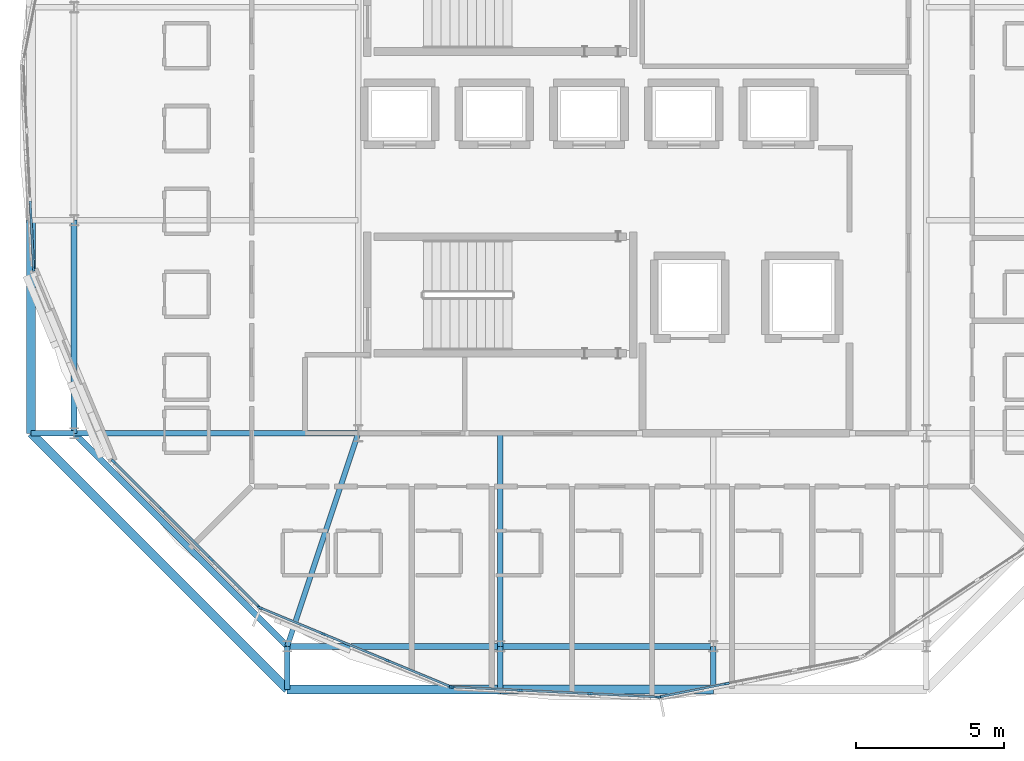
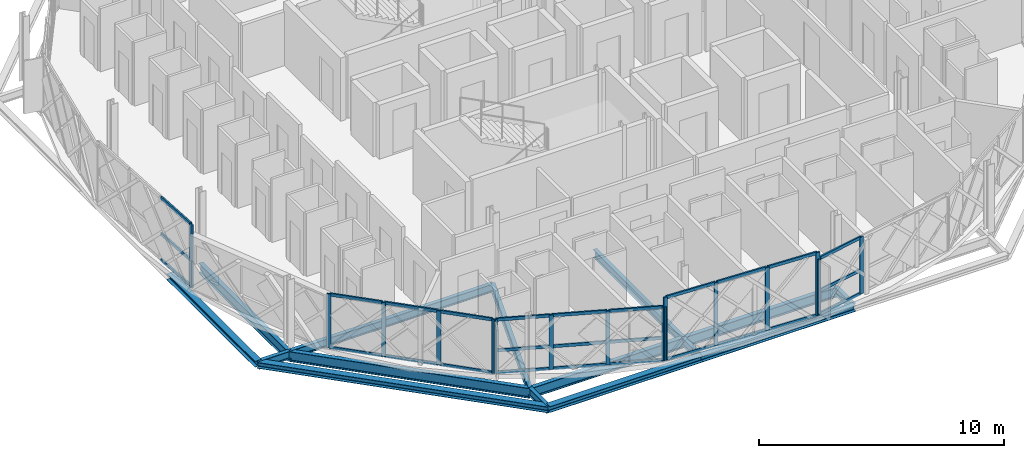
# One storey, part 5 of 24: 42 members, 15 beams, 5 elements without a shape of their own.
"""IFC4 building model written with IfcOpenShell, lengths in metres."""

from ifc_helpers import new_model, si_unit, direction, frame, origin, origin_2d, place, context, subcontext, project, spatial, rectangle, i_section, extrude, material, layer, layer_set, material_profile, profile_set, type_object, element, aggregate, save


model = new_model("IFC4")

# Units and contexts
model_context = context("Model", 3, precision=1e-05, world=origin(), true_north=direction((0.0, 1.0)))
body_context = subcontext(model_context, "Body", "Model", "MODEL_VIEW")
ifc_project = project(units=[si_unit("LENGTHUNIT", "METRE"), si_unit("AREAUNIT", "SQUARE_METRE"), si_unit("VOLUMEUNIT", "CUBIC_METRE"), si_unit("PLANEANGLEUNIT", "RADIAN"), si_unit("MASSUNIT", "GRAM", prefix="KILO")], contexts=[model_context])

# Site, building, storey
site_placement = place(None, origin())
site = spatial("IfcSite", under=ifc_project, at=site_placement, CompositionType="ELEMENT")
building_placement = place(site_placement, origin())
building = spatial("IfcBuilding", under=site, at=building_placement, Name="Zevrakil Square Congress Hotel", CompositionType="ELEMENT")
storey_placement = place(building_placement, frame((0.0, 0.0, 38.5)))
storey = spatial("IfcBuildingStorey", under=building, at=storey_placement, Name="L11", CompositionType="ELEMENT", Elevation=38.5)

# Beams
ifc_material_1 = material(Name="Steel S355", Category="steel")
ifc_material_profile_1 = material_profile(ifc_material_1, i_section(OverallWidth=0.199951171875, OverallDepth=0.5, WebThickness=0.01025390625, FlangeThickness=0.01611328125, FilletRadius=0.02099609375, at=origin_2d()), Name="IPE 500")
ifc_profile_set_1 = profile_set([ifc_material_profile_1], Name="Steel S355")
beam_type_1 = type_object("IfcBeamType", Name="BM-IPE500", PredefinedType="BEAM", material=ifc_profile_set_1)
beam_1_placement = place(storey_placement, frame((134.39990234375, 9.60009765625, -0.485107421875), z_axis=(1.0, 0.0, 0.0), x_axis=(0.0, 1.0, 0.0)))
element("IfcBeam", 1, at=beam_1_placement, inside=storey, type_object=beam_type_1, Name="L11 drum ring girder DRB-01", PredefinedType="BEAM", context=body_context, shape_type="SweptSolid", body=[
    extrude(i_section(OverallWidth=0.199951171875, OverallDepth=0.5, WebThickness=0.01025390625, FlangeThickness=0.01611328125, FilletRadius=0.02099609375, at=origin_2d()), origin(), (0.0, 0.0, 1.0), 7.2001953125),
])
for number, where, z_axis, x_axis, name in (
    (2, (141.60009765625, 9.60009765625, -0.485107421875), (1.0, 0.0, 0.0), (0.0, 1.0, 0.0), "L11 drum ring girder DRB-02"),
    (3, (127.199951171875, 24.0, -0.485107421875), (0.0, -1.0, 0.0), (1.0, 0.0, 0.0), "L11 drum ring girder DRB-15"),
):
    element("IfcBeam", number, at=place(storey_placement, frame(where, z_axis=z_axis, x_axis=x_axis)), inside=storey, type_object=beam_type_1, Name=name, PredefinedType="BEAM", context=body_context, shape_type="SweptSolid", body=[
        extrude(i_section(OverallWidth=0.199951171875, OverallDepth=0.5, WebThickness=0.01025390625, FlangeThickness=0.01611328125, FilletRadius=0.02099609375, at=origin_2d()), origin(), (0.0, 0.0, 1.0), 7.199951171875),
    ])
beam_2_placement = place(storey_placement, frame((127.199951171875, 16.800048828125, -0.485107421875), z_axis=(0.707106781187, -0.707106781187, 0.0), x_axis=(0.707106781187, 0.707106781187, 0.0)))
element("IfcBeam", 4, at=beam_2_placement, inside=storey, type_object=beam_type_1, Name="L11 drum ring girder DRB-16", PredefinedType="BEAM", context=body_context, shape_type="SweptSolid", body=[
    extrude(i_section(OverallWidth=0.199951171875, OverallDepth=0.5, WebThickness=0.01025390625, FlangeThickness=0.01611328125, FilletRadius=0.02099609375, at=origin_2d()), origin(), (0.0, 0.0, 1.0), 10.182373046875),
])

# Curtain wall, members
ifc_material_2 = material(Name="Aluminium Anodised Bronze", Category="aluminium")
ifc_layer = layer(ifc_material_2, 0.179931640625)
ifc_layer_set = layer_set([ifc_layer], Name="Aluminium Anodised Bronze")
curtain_wall_type = type_object("IfcCurtainWallType", Name="CW-L11-720", PredefinedType="USERDEFINED", material=ifc_layer_set)
curtain_wall_1_placement = place(storey_placement, origin())
curtain_wall_1 = element("IfcCurtainWall", 5, at=curtain_wall_1_placement, inside=storey, type_object=curtain_wall_type, Name="L11 diamond curtain wall CW-L11-0286", ObjectType="GLAZED CURTAIN WALL", PredefinedType="USERDEFINED")
ifc_material_3 = material(Name="Aluminium Anodised Bronze", Category="aluminium")
ifc_material_profile_2 = material_profile(ifc_material_3, rectangle(XDim=0.074951171875, YDim=0.14990234375, at=origin_2d()), Name="ALU 75x150")
ifc_profile_set_2 = profile_set([ifc_material_profile_2], Name="Aluminium Anodised Bronze")
member_type_1 = type_object("IfcMemberType", Name="CWM-ALU75x150", PredefinedType="USERDEFINED", material=ifc_profile_set_2)
member_1_placement = place(storey_placement, frame((147.019775390625, 7.895751953125, 0.030029296875), z_axis=(0.98078922397, 0.195070495322, 0.0), x_axis=(-0.195070495322, 0.98078922397, 0.0)))
member_1 = element("IfcMember", 6, at=member_1_placement, type_object=member_type_1, Name="CW-130 transom 1.1", ObjectType="TRANSOM", PredefinedType="USERDEFINED", context=body_context, shape_type="SweptSolid", body=[
    extrude(rectangle(XDim=0.074951171875, YDim=0.14990234375, at=origin_2d()), origin(), (0.0, 0.0, 1.0), 2.245361328125),
])
member_2_placement = place(storey_placement, frame((147.019775390625, 7.895751953125, 1.190673828125), z_axis=(0.98078922397, 0.195070495322, 0.0), x_axis=(-0.195070495322, 0.98078922397, 0.0)))
member_2 = element("IfcMember", 7, at=member_2_placement, type_object=member_type_1, Name="CW-130 transom 1.2", ObjectType="TRANSOM", PredefinedType="USERDEFINED", context=body_context, shape_type="SweptSolid", body=[
    extrude(rectangle(XDim=0.074951171875, YDim=0.14990234375, at=origin_2d()), origin(), (0.0, 0.0, 1.0), 2.245361328125),
])
member_3_placement = place(storey_placement, frame((147.019775390625, 7.895751953125, 2.804931640625), z_axis=(0.98078922397, 0.195070495322, 0.0), x_axis=(-0.195070495322, 0.98078922397, 0.0)))
member_3 = element("IfcMember", 8, at=member_3_placement, type_object=member_type_1, Name="CW-130 transom 1.3", ObjectType="TRANSOM", PredefinedType="USERDEFINED", context=body_context, shape_type="SweptSolid", body=[
    extrude(rectangle(XDim=0.074951171875, YDim=0.14990234375, at=origin_2d()), origin(), (0.0, 0.0, 1.0), 2.245361328125),
])

curtain_wall_2_placement = place(storey_placement, origin())
curtain_wall_2 = element("IfcCurtainWall", 9, at=curtain_wall_2_placement, inside=storey, type_object=curtain_wall_type, Name="L11 diamond curtain wall CW-L11-0298", ObjectType="GLAZED CURTAIN WALL", PredefinedType="USERDEFINED")
member_4_placement = place(storey_placement, frame((125.715576171875, 24.64794921875, 0.030029296875), z_axis=(0.04905720207, -0.998795970619, 0.0), x_axis=(0.998795970619, 0.04905720207, 0.0)))
member_4 = element("IfcMember", 10, at=member_4_placement, type_object=member_type_1, Name="CW-130 transom 3.1", ObjectType="TRANSOM", PredefinedType="USERDEFINED", context=body_context, shape_type="SweptSolid", body=[
    extrude(rectangle(XDim=0.074951171875, YDim=0.14990234375, at=origin_2d()), origin(), (0.0, 0.0, 1.0), 2.25439453125),
])
member_5_placement = place(storey_placement, frame((125.715576171875, 24.64794921875, 1.322998046875), z_axis=(0.04905720207, -0.998795970619, 0.0), x_axis=(0.998795970619, 0.04905720207, 0.0)))
member_5 = element("IfcMember", 11, at=member_5_placement, type_object=member_type_1, Name="CW-130 transom 3.2", ObjectType="TRANSOM", PredefinedType="USERDEFINED", context=body_context, shape_type="SweptSolid", body=[
    extrude(rectangle(XDim=0.074951171875, YDim=0.14990234375, at=origin_2d()), origin(), (0.0, 0.0, 1.0), 2.25439453125),
])
member_6_placement = place(storey_placement, frame((125.715576171875, 24.64794921875, 3.1201171875), z_axis=(0.04905720207, -0.998795970619, 0.0), x_axis=(0.998795970619, 0.04905720207, 0.0)))
member_6 = element("IfcMember", 12, at=member_6_placement, type_object=member_type_1, Name="CW-130 transom 3.3", ObjectType="TRANSOM", PredefinedType="USERDEFINED", context=body_context, shape_type="SweptSolid", body=[
    extrude(rectangle(XDim=0.074951171875, YDim=0.14990234375, at=origin_2d()), origin(), (0.0, 0.0, 1.0), 2.25439453125),
])

curtain_wall_3_placement = place(storey_placement, origin())
curtain_wall_3 = element("IfcCurtainWall", 13, at=curtain_wall_3_placement, inside=storey, type_object=curtain_wall_type, Name="L11 diamond curtain wall CW-L11-0299", ObjectType="GLAZED CURTAIN WALL", PredefinedType="USERDEFINED")
member_7_placement = place(storey_placement, frame((128.552490234375, 15.8212890625, 0.030029296875), z_axis=(0.707106781187, -0.707106781187, 0.0), x_axis=(0.707106781187, 0.707106781187, 0.0)))
member_7 = element("IfcMember", 14, at=member_7_placement, type_object=member_type_1, Name="CW-130 transom 1.1", ObjectType="TRANSOM", PredefinedType="USERDEFINED", context=body_context, shape_type="SweptSolid", body=[
    extrude(rectangle(XDim=0.074951171875, YDim=0.14990234375, at=origin_2d()), origin(), (0.0, 0.0, 1.0), 2.245361328125),
])
member_8_placement = place(storey_placement, frame((128.552490234375, 15.8212890625, 2.6650390625), z_axis=(0.707106781187, -0.707106781187, 0.0), x_axis=(0.707106781187, 0.707106781187, 0.0)))
member_8 = element("IfcMember", 15, at=member_8_placement, type_object=member_type_1, Name="CW-130 transom 1.2", ObjectType="TRANSOM", PredefinedType="USERDEFINED", context=body_context, shape_type="SweptSolid", body=[
    extrude(rectangle(XDim=0.074951171875, YDim=0.14990234375, at=origin_2d()), origin(), (0.0, 0.0, 1.0), 2.245361328125),
])
member_9_placement = place(storey_placement, frame((130.182373046875, 14.191162109375, 0.030029296875), z_axis=(0.707160433205, -0.707053125097, 0.0), x_axis=(0.707053125097, 0.707160433205, 0.0)))
member_9 = element("IfcMember", 16, at=member_9_placement, type_object=member_type_1, Name="CW-130 transom 2.1", ObjectType="TRANSOM", PredefinedType="USERDEFINED", context=body_context, shape_type="SweptSolid", body=[
    extrude(rectangle(XDim=0.074951171875, YDim=0.14990234375, at=origin_2d()), origin(), (0.0, 0.0, 1.0), 2.275146484375),
])
member_10_placement = place(storey_placement, frame((130.182373046875, 14.191162109375, 2.6650390625), z_axis=(0.707160433205, -0.707053125097, 0.0), x_axis=(0.707053125097, 0.707160433205, 0.0)))
member_10 = element("IfcMember", 17, at=member_10_placement, type_object=member_type_1, Name="CW-130 transom 2.2", ObjectType="TRANSOM", PredefinedType="USERDEFINED", context=body_context, shape_type="SweptSolid", body=[
    extrude(rectangle(XDim=0.074951171875, YDim=0.14990234375, at=origin_2d()), origin(), (0.0, 0.0, 1.0), 2.275146484375),
])
member_11_placement = place(storey_placement, frame((131.833740234375, 12.5400390625, 0.030029296875), z_axis=(0.707106781187, -0.707106781187, 0.0), x_axis=(0.707106781187, 0.707106781187, 0.0)))
member_11 = element("IfcMember", 18, at=member_11_placement, type_object=member_type_1, Name="CW-130 transom 3.1", ObjectType="TRANSOM", PredefinedType="USERDEFINED", context=body_context, shape_type="SweptSolid", body=[
    extrude(rectangle(XDim=0.074951171875, YDim=0.14990234375, at=origin_2d()), origin(), (0.0, 0.0, 1.0), 2.245361328125),
])
member_12_placement = place(storey_placement, frame((131.833740234375, 12.5400390625, 2.6650390625), z_axis=(0.707106781187, -0.707106781187, 0.0), x_axis=(0.707106781187, 0.707106781187, 0.0)))
member_12 = element("IfcMember", 19, at=member_12_placement, type_object=member_type_1, Name="CW-130 transom 3.2", ObjectType="TRANSOM", PredefinedType="USERDEFINED", context=body_context, shape_type="SweptSolid", body=[
    extrude(rectangle(XDim=0.074951171875, YDim=0.14990234375, at=origin_2d()), origin(), (0.0, 0.0, 1.0), 2.245361328125),
])

curtain_wall_4_placement = place(storey_placement, origin())
curtain_wall_4 = element("IfcCurtainWall", 20, at=curtain_wall_4_placement, inside=storey, type_object=curtain_wall_type, Name="L11 diamond curtain wall CW-L11-0300", ObjectType="GLAZED CURTAIN WALL", PredefinedType="USERDEFINED")
member_13_placement = place(storey_placement, frame((133.51904296875, 10.886962890625, 0.030029296875), z_axis=(0.923901544851, -0.382630285552, 0.0), x_axis=(0.382630285552, 0.923901544851, 0.0)))
member_13 = element("IfcMember", 21, at=member_13_placement, type_object=member_type_1, Name="CW-130 transom 1.1", ObjectType="TRANSOM", PredefinedType="USERDEFINED", context=body_context, shape_type="SweptSolid", body=[
    extrude(rectangle(XDim=0.074951171875, YDim=0.14990234375, at=origin_2d()), origin(), (0.0, 0.0, 1.0), 2.245361328125),
])
member_14_placement = place(storey_placement, frame((133.51904296875, 10.886962890625, 1.1318359375), z_axis=(0.923901544851, -0.382630285552, 0.0), x_axis=(0.382630285552, 0.923901544851, 0.0)))
member_14 = element("IfcMember", 22, at=member_14_placement, type_object=member_type_1, Name="CW-130 transom 1.2", ObjectType="TRANSOM", PredefinedType="USERDEFINED", context=body_context, shape_type="SweptSolid", body=[
    extrude(rectangle(XDim=0.074951171875, YDim=0.14990234375, at=origin_2d()), origin(), (0.0, 0.0, 1.0), 2.245361328125),
])
member_15_placement = place(storey_placement, frame((133.51904296875, 10.886962890625, 2.6650390625), z_axis=(0.923901544851, -0.382630285552, 0.0), x_axis=(0.382630285552, 0.923901544851, 0.0)))
member_15 = element("IfcMember", 23, at=member_15_placement, type_object=member_type_1, Name="CW-130 transom 1.3", ObjectType="TRANSOM", PredefinedType="USERDEFINED", context=body_context, shape_type="SweptSolid", body=[
    extrude(rectangle(XDim=0.074951171875, YDim=0.14990234375, at=origin_2d()), origin(), (0.0, 0.0, 1.0), 2.245361328125),
])
member_16_placement = place(storey_placement, frame((135.64892578125, 10.0048828125, 0.030029296875), z_axis=(0.923855963606, -0.38274032778, 0.0), x_axis=(0.38274032778, 0.923855963606, 0.0)))
member_16 = element("IfcMember", 24, at=member_16_placement, type_object=member_type_1, Name="CW-130 transom 2.1", ObjectType="TRANSOM", PredefinedType="USERDEFINED", context=body_context, shape_type="SweptSolid", body=[
    extrude(rectangle(XDim=0.074951171875, YDim=0.14990234375, at=origin_2d()), origin(), (0.0, 0.0, 1.0), 2.275390625),
])
member_17_placement = place(storey_placement, frame((135.64892578125, 10.0048828125, 1.1318359375), z_axis=(0.923855963606, -0.38274032778, 0.0), x_axis=(0.38274032778, 0.923855963606, 0.0)))
member_17 = element("IfcMember", 25, at=member_17_placement, type_object=member_type_1, Name="CW-130 transom 2.2", ObjectType="TRANSOM", PredefinedType="USERDEFINED", context=body_context, shape_type="SweptSolid", body=[
    extrude(rectangle(XDim=0.074951171875, YDim=0.14990234375, at=origin_2d()), origin(), (0.0, 0.0, 1.0), 2.275390625),
])
member_18_placement = place(storey_placement, frame((135.64892578125, 10.0048828125, 2.6650390625), z_axis=(0.923855963606, -0.38274032778, 0.0), x_axis=(0.38274032778, 0.923855963606, 0.0)))
member_18 = element("IfcMember", 26, at=member_18_placement, type_object=member_type_1, Name="CW-130 transom 2.3", ObjectType="TRANSOM", PredefinedType="USERDEFINED", context=body_context, shape_type="SweptSolid", body=[
    extrude(rectangle(XDim=0.074951171875, YDim=0.14990234375, at=origin_2d()), origin(), (0.0, 0.0, 1.0), 2.275390625),
])
member_19_placement = place(storey_placement, frame((137.806396484375, 9.111083984375, 0.030029296875), z_axis=(0.923901544851, -0.382630285552, 0.0), x_axis=(0.382630285552, 0.923901544851, 0.0)))
member_19 = element("IfcMember", 27, at=member_19_placement, type_object=member_type_1, Name="CW-130 transom 3.1", ObjectType="TRANSOM", PredefinedType="USERDEFINED", context=body_context, shape_type="SweptSolid", body=[
    extrude(rectangle(XDim=0.074951171875, YDim=0.14990234375, at=origin_2d()), origin(), (0.0, 0.0, 1.0), 2.245361328125),
])
member_20_placement = place(storey_placement, frame((137.806396484375, 9.111083984375, 1.1318359375), z_axis=(0.923901544851, -0.382630285552, 0.0), x_axis=(0.382630285552, 0.923901544851, 0.0)))
member_20 = element("IfcMember", 28, at=member_20_placement, type_object=member_type_1, Name="CW-130 transom 3.2", ObjectType="TRANSOM", PredefinedType="USERDEFINED", context=body_context, shape_type="SweptSolid", body=[
    extrude(rectangle(XDim=0.074951171875, YDim=0.14990234375, at=origin_2d()), origin(), (0.0, 0.0, 1.0), 2.245361328125),
])
member_21_placement = place(storey_placement, frame((137.806396484375, 9.111083984375, 2.6650390625), z_axis=(0.923901544851, -0.382630285552, 0.0), x_axis=(0.382630285552, 0.923901544851, 0.0)))
member_21 = element("IfcMember", 29, at=member_21_placement, type_object=member_type_1, Name="CW-130 transom 3.3", ObjectType="TRANSOM", PredefinedType="USERDEFINED", context=body_context, shape_type="SweptSolid", body=[
    extrude(rectangle(XDim=0.074951171875, YDim=0.14990234375, at=origin_2d()), origin(), (0.0, 0.0, 1.0), 2.245361328125),
])

curtain_wall_5_placement = place(storey_placement, origin())
curtain_wall_5 = element("IfcCurtainWall", 30, at=curtain_wall_5_placement, inside=storey, type_object=curtain_wall_type, Name="L11 diamond curtain wall CW-L11-0301", ObjectType="GLAZED CURTAIN WALL", PredefinedType="USERDEFINED")
member_22_placement = place(storey_placement, frame((139.99609375, 8.22607421875, 0.030029296875), z_axis=(0.998795970619, -0.04905720207, 0.0), x_axis=(0.04905720207, 0.998795970619, 0.0)))
member_22 = element("IfcMember", 31, at=member_22_placement, type_object=member_type_1, Name="CW-130 transom 1.1", ObjectType="TRANSOM", PredefinedType="USERDEFINED", context=body_context, shape_type="SweptSolid", body=[
    extrude(rectangle(XDim=0.074951171875, YDim=0.14990234375, at=origin_2d()), origin(), (0.0, 0.0, 1.0), 2.25439453125),
])
member_23_placement = place(storey_placement, frame((139.99609375, 8.22607421875, 3.1201171875), z_axis=(0.998795970619, -0.04905720207, 0.0), x_axis=(0.04905720207, 0.998795970619, 0.0)))
member_23 = element("IfcMember", 32, at=member_23_placement, type_object=member_type_1, Name="CW-130 transom 1.2", ObjectType="TRANSOM", PredefinedType="USERDEFINED", context=body_context, shape_type="SweptSolid", body=[
    extrude(rectangle(XDim=0.074951171875, YDim=0.14990234375, at=origin_2d()), origin(), (0.0, 0.0, 1.0), 2.25439453125),
])
member_24_placement = place(storey_placement, frame((142.307861328125, 8.112548828125, 0.030029296875), z_axis=(0.998795929736, -0.04905803443, 0.0), x_axis=(0.04905803443, 0.998795929736, 0.0)))
member_24 = element("IfcMember", 33, at=member_24_placement, type_object=member_type_1, Name="CW-130 transom 2.1", ObjectType="TRANSOM", PredefinedType="USERDEFINED", context=body_context, shape_type="SweptSolid", body=[
    extrude(rectangle(XDim=0.074951171875, YDim=0.14990234375, at=origin_2d()), origin(), (0.0, 0.0, 1.0), 2.2841796875),
])
member_25_placement = place(storey_placement, frame((142.307861328125, 8.112548828125, 3.1201171875), z_axis=(0.998795929736, -0.04905803443, 0.0), x_axis=(0.04905803443, 0.998795929736, 0.0)))
member_25 = element("IfcMember", 34, at=member_25_placement, type_object=member_type_1, Name="CW-130 transom 2.2", ObjectType="TRANSOM", PredefinedType="USERDEFINED", context=body_context, shape_type="SweptSolid", body=[
    extrude(rectangle(XDim=0.074951171875, YDim=0.14990234375, at=origin_2d()), origin(), (0.0, 0.0, 1.0), 2.2841796875),
])
member_26_placement = place(storey_placement, frame((144.6494140625, 7.99755859375, 0.030029296875), z_axis=(0.998795970619, -0.04905720207, 0.0), x_axis=(0.04905720207, 0.998795970619, 0.0)))
member_26 = element("IfcMember", 35, at=member_26_placement, type_object=member_type_1, Name="CW-130 transom 3.1", ObjectType="TRANSOM", PredefinedType="USERDEFINED", context=body_context, shape_type="SweptSolid", body=[
    extrude(rectangle(XDim=0.074951171875, YDim=0.14990234375, at=origin_2d()), origin(), (0.0, 0.0, 1.0), 2.25439453125),
])
member_27_placement = place(storey_placement, frame((144.6494140625, 7.99755859375, 3.1201171875), z_axis=(0.998795970619, -0.04905720207, 0.0), x_axis=(0.04905720207, 0.998795970619, 0.0)))
member_27 = element("IfcMember", 36, at=member_27_placement, type_object=member_type_1, Name="CW-130 transom 3.2", ObjectType="TRANSOM", PredefinedType="USERDEFINED", context=body_context, shape_type="SweptSolid", body=[
    extrude(rectangle(XDim=0.074951171875, YDim=0.14990234375, at=origin_2d()), origin(), (0.0, 0.0, 1.0), 2.25439453125),
])

# Member
ifc_material_4 = material(Name="Aluminium Anodised Bronze", Category="aluminium")
ifc_material_profile_3 = material_profile(ifc_material_4, rectangle(XDim=0.074951171875, YDim=0.179931640625, at=origin_2d()), Name="ALU 75x180")
ifc_profile_set_3 = profile_set([ifc_material_profile_3], Name="Aluminium Anodised Bronze")
member_type_2 = type_object("IfcMemberType", Name="CWM-ALU75x180", PredefinedType="MULLION", material=ifc_profile_set_3)
member_28_placement = place(storey_placement, frame((146.990478515625, 7.889892578125, 0.0), z_axis=(0.0, 0.0, 1.0), x_axis=(-0.195083900459, 0.980786557708, 0.0)))
member_28 = element("IfcMember", 37, at=member_28_placement, type_object=member_type_2, Name="CW-130 mullion 1", PredefinedType="MULLION", context=body_context, shape_type="SweptSolid", body=[
    extrude(rectangle(XDim=0.074951171875, YDim=0.179931640625, at=origin_2d()), origin(), (0.0, 0.0, 1.0), 2.8349609375),
])

member_29_placement = place(storey_placement, frame((149.25146484375, 8.339599609375, 0.0), z_axis=(0.0, 0.0, 1.0), x_axis=(-0.195083900459, 0.980786557708, 0.0)))
member_29 = element("IfcMember", 38, at=member_29_placement, type_object=member_type_2, Name="CW-130 mullion 2", PredefinedType="MULLION", context=body_context, shape_type="SweptSolid", body=[
    extrude(rectangle(XDim=0.074951171875, YDim=0.179931640625, at=origin_2d()), origin(), (0.0, 0.0, 1.0), 2.8349609375),
])

aggregate(curtain_wall_1, [member_28, member_29, member_1, member_2, member_3])

member_30_placement = place(storey_placement, frame((125.82763671875, 22.3662109375, 0.0), z_axis=(0.0, 0.0, 1.0), x_axis=(0.998796196761, 0.04905259764, 0.0)))
member_30 = element("IfcMember", 39, at=member_30_placement, type_object=member_type_2, Name="CW-130 mullion 4", PredefinedType="MULLION", context=body_context, shape_type="SweptSolid", body=[
    extrude(rectangle(XDim=0.074951171875, YDim=0.179931640625, at=origin_2d()), origin(), (0.0, 0.0, 1.0), 3.14990234375),
])

aggregate(curtain_wall_2, [member_30, member_4, member_5, member_6])

member_31_placement = place(storey_placement, frame((128.53125, 15.842529296875, 0.0), z_axis=(0.0, 0.0, 1.0), x_axis=(0.707106781187, 0.707106781187, 0.0)))
member_31 = element("IfcMember", 40, at=member_31_placement, type_object=member_type_2, Name="CW-130 mullion 1", PredefinedType="MULLION", context=body_context, shape_type="SweptSolid", body=[
    extrude(rectangle(XDim=0.074951171875, YDim=0.179931640625, at=origin_2d()), origin(), (0.0, 0.0, 1.0), 2.695068359375),
])

member_32_placement = place(storey_placement, frame((130.1611328125, 14.21240234375, 0.0), z_axis=(0.0, 0.0, 1.0), x_axis=(0.707106781187, 0.707106781187, 0.0)))
member_32 = element("IfcMember", 41, at=member_32_placement, type_object=member_type_2, Name="CW-130 mullion 2", PredefinedType="MULLION", context=body_context, shape_type="SweptSolid", body=[
    extrude(rectangle(XDim=0.074951171875, YDim=0.179931640625, at=origin_2d()), origin(), (0.0, 0.0, 1.0), 2.695068359375),
])

member_33_placement = place(storey_placement, frame((131.8125, 12.561279296875, 0.0), z_axis=(0.0, 0.0, 1.0), x_axis=(0.707106781187, 0.707106781187, 0.0)))
member_33 = element("IfcMember", 42, at=member_33_placement, type_object=member_type_2, Name="CW-130 mullion 3", PredefinedType="MULLION", context=body_context, shape_type="SweptSolid", body=[
    extrude(rectangle(XDim=0.074951171875, YDim=0.179931640625, at=origin_2d()), origin(), (0.0, 0.0, 1.0), 2.695068359375),
])

member_34_placement = place(storey_placement, frame((133.4423828125, 10.93115234375, 0.0), z_axis=(0.0, 0.0, 1.0), x_axis=(0.707106781187, 0.707106781187, 0.0)))
member_34 = element("IfcMember", 43, at=member_34_placement, type_object=member_type_2, Name="CW-130 mullion 4", PredefinedType="MULLION", context=body_context, shape_type="SweptSolid", body=[
    extrude(rectangle(XDim=0.074951171875, YDim=0.179931640625, at=origin_2d()), origin(), (0.0, 0.0, 1.0), 2.695068359375),
])

aggregate(curtain_wall_3, [member_31, member_32, member_33, member_34, member_7, member_8, member_9, member_10, member_11, member_12])

member_35_placement = place(storey_placement, frame((133.491455078125, 10.8984375, 0.0), z_axis=(0.0, 0.0, 1.0), x_axis=(0.382683763454, 0.92387939537, 0.0)))
member_35 = element("IfcMember", 44, at=member_35_placement, type_object=member_type_2, Name="CW-130 mullion 1", PredefinedType="MULLION", context=body_context, shape_type="SweptSolid", body=[
    extrude(rectangle(XDim=0.074951171875, YDim=0.179931640625, at=origin_2d()), origin(), (0.0, 0.0, 1.0), 2.695068359375),
])

member_36_placement = place(storey_placement, frame((135.62109375, 10.016357421875, 0.0), z_axis=(0.0, 0.0, 1.0), x_axis=(0.382683763454, 0.92387939537, 0.0)))
member_36 = element("IfcMember", 45, at=member_36_placement, type_object=member_type_2, Name="CW-130 mullion 2", PredefinedType="MULLION", context=body_context, shape_type="SweptSolid", body=[
    extrude(rectangle(XDim=0.074951171875, YDim=0.179931640625, at=origin_2d()), origin(), (0.0, 0.0, 1.0), 2.695068359375),
])

member_37_placement = place(storey_placement, frame((137.77880859375, 9.12255859375, 0.0), z_axis=(0.0, 0.0, 1.0), x_axis=(0.382683763454, 0.92387939537, 0.0)))
member_37 = element("IfcMember", 46, at=member_37_placement, type_object=member_type_2, Name="CW-130 mullion 3", PredefinedType="MULLION", context=body_context, shape_type="SweptSolid", body=[
    extrude(rectangle(XDim=0.074951171875, YDim=0.179931640625, at=origin_2d()), origin(), (0.0, 0.0, 1.0), 2.695068359375),
])

member_38_placement = place(storey_placement, frame((139.908447265625, 8.240478515625, 0.0), z_axis=(0.0, 0.0, 1.0), x_axis=(0.382683763454, 0.92387939537, 0.0)))
member_38 = element("IfcMember", 47, at=member_38_placement, type_object=member_type_2, Name="CW-130 mullion 4", PredefinedType="MULLION", context=body_context, shape_type="SweptSolid", body=[
    extrude(rectangle(XDim=0.074951171875, YDim=0.179931640625, at=origin_2d()), origin(), (0.0, 0.0, 1.0), 2.695068359375),
])

aggregate(curtain_wall_4, [member_35, member_36, member_37, member_38, member_13, member_14, member_15, member_16, member_17, member_18, member_19, member_20, member_21])

member_39_placement = place(storey_placement, frame((139.966064453125, 8.2275390625, 0.0), z_axis=(0.0, 0.0, 1.0), x_axis=(0.04905259764, 0.998796196761, 0.0)))
member_39 = element("IfcMember", 48, at=member_39_placement, type_object=member_type_2, Name="CW-130 mullion 1", PredefinedType="MULLION", context=body_context, shape_type="SweptSolid", body=[
    extrude(rectangle(XDim=0.074951171875, YDim=0.179931640625, at=origin_2d()), origin(), (0.0, 0.0, 1.0), 3.14990234375),
])

member_40_placement = place(storey_placement, frame((142.27783203125, 8.114013671875, 0.0), z_axis=(0.0, 0.0, 1.0), x_axis=(0.04905259764, 0.998796196761, 0.0)))
member_40 = element("IfcMember", 49, at=member_40_placement, type_object=member_type_2, Name="CW-130 mullion 2", PredefinedType="MULLION", context=body_context, shape_type="SweptSolid", body=[
    extrude(rectangle(XDim=0.074951171875, YDim=0.179931640625, at=origin_2d()), origin(), (0.0, 0.0, 1.0), 3.14990234375),
])

member_41_placement = place(storey_placement, frame((144.619384765625, 7.9990234375, 0.0), z_axis=(0.0, 0.0, 1.0), x_axis=(0.04905259764, 0.998796196761, 0.0)))
member_41 = element("IfcMember", 50, at=member_41_placement, type_object=member_type_2, Name="CW-130 mullion 3", PredefinedType="MULLION", context=body_context, shape_type="SweptSolid", body=[
    extrude(rectangle(XDim=0.074951171875, YDim=0.179931640625, at=origin_2d()), origin(), (0.0, 0.0, 1.0), 3.14990234375),
])

member_42_placement = place(storey_placement, frame((146.93115234375, 7.885498046875, 0.0), z_axis=(0.0, 0.0, 1.0), x_axis=(0.04905259764, 0.998796196761, 0.0)))
member_42 = element("IfcMember", 51, at=member_42_placement, type_object=member_type_2, Name="CW-130 mullion 4", PredefinedType="MULLION", context=body_context, shape_type="SweptSolid", body=[
    extrude(rectangle(XDim=0.074951171875, YDim=0.179931640625, at=origin_2d()), origin(), (0.0, 0.0, 1.0), 3.14990234375),
])

aggregate(curtain_wall_5, [member_39, member_40, member_41, member_42, member_22, member_23, member_24, member_25, member_26, member_27])

# Beams
ifc_material_5 = material(Name="Steel S355", Category="steel")
ifc_material_profile_4 = material_profile(ifc_material_5, i_section(OverallWidth=0.179931640625, OverallDepth=0.39990234375, WebThickness=0.008544921875, FlangeThickness=0.013427734375, FilletRadius=0.02099609375, at=origin_2d()), Name="IPE 400")
ifc_profile_set_4 = profile_set([ifc_material_profile_4], Name="Steel S355")
beam_type_2 = type_object("IfcBeamType", Name="JST-IPE400", PredefinedType="JOIST", material=ifc_profile_set_4)
beam_3_placement = place(storey_placement, frame((136.800048828125, 16.800048828125, -0.43505859375), z_axis=(-0.316247066962, -0.948676864184, 0.0), x_axis=(0.948676864184, -0.316247066962, 0.0)))
element("IfcBeam", 52, at=beam_3_placement, inside=storey, type_object=beam_type_2, Name="L11 drum radial floor beam DRI-01", PredefinedType="JOIST", context=body_context, shape_type="SweptSolid", body=[
    extrude(i_section(OverallWidth=0.179931640625, OverallDepth=0.39990234375, WebThickness=0.008544921875, FlangeThickness=0.013427734375, FilletRadius=0.02099609375, at=origin_2d()), origin(), (0.0, 0.0, 1.0), 7.58935546875),
])
beam_4_placement = place(storey_placement, frame((134.39990234375, 9.60009765625, -0.43505859375), z_axis=(0.0, -1.0, 0.0), x_axis=(1.0, 0.0, 0.0)))
element("IfcBeam", 53, at=beam_4_placement, inside=storey, type_object=beam_type_2, Name="L11 drum radial edge cantilever beam DRO-01", PredefinedType="JOIST", context=body_context, shape_type="SweptSolid", body=[
    extrude(i_section(OverallWidth=0.179931640625, OverallDepth=0.39990234375, WebThickness=0.008544921875, FlangeThickness=0.013427734375, FilletRadius=0.02099609375, at=origin_2d()), origin(), (0.0, 0.0, 1.0), 1.4560546875),
])
beam_5_placement = place(storey_placement, frame((141.60009765625, 16.800048828125, -0.43505859375), z_axis=(0.0, -1.0, 0.0), x_axis=(1.0, 0.0, 0.0)))
element("IfcBeam", 54, at=beam_5_placement, inside=storey, type_object=beam_type_2, Name="L11 drum radial floor beam DRI-02", PredefinedType="JOIST", context=body_context, shape_type="SweptSolid", body=[
    extrude(i_section(OverallWidth=0.179931640625, OverallDepth=0.39990234375, WebThickness=0.008544921875, FlangeThickness=0.013427734375, FilletRadius=0.02099609375, at=origin_2d()), origin(), (0.0, 0.0, 1.0), 7.199951171875),
])
for number, where, z_axis, x_axis, name in (
    (55, (141.60009765625, 9.60009765625, -0.43505859375), (0.0, -1.0, 0.0), (1.0, 0.0, 0.0), "L11 drum radial edge cantilever beam DRO-02"),
    (56, (148.800048828125, 9.60009765625, -0.43505859375), (0.0, -1.0, 0.0), (1.0, 0.0, 0.0), "L11 drum radial edge cantilever beam DRO-03"),
):
    element("IfcBeam", number, at=place(storey_placement, frame(where, z_axis=z_axis, x_axis=x_axis)), inside=storey, type_object=beam_type_2, Name=name, PredefinedType="JOIST", context=body_context, shape_type="SweptSolid", body=[
        extrude(i_section(OverallWidth=0.179931640625, OverallDepth=0.39990234375, WebThickness=0.008544921875, FlangeThickness=0.013427734375, FilletRadius=0.02099609375, at=origin_2d()), origin(), (0.0, 0.0, 1.0), 1.4560546875),
    ])
beam_6_placement = place(storey_placement, frame((136.800048828125, 16.800048828125, -0.43505859375), z_axis=(-1.0, 0.0, 0.0), x_axis=(0.0, -1.0, 0.0)))
element("IfcBeam", 57, at=beam_6_placement, inside=storey, type_object=beam_type_2, Name="L11 drum radial floor beam DRI-16", PredefinedType="JOIST", context=body_context, shape_type="SweptSolid", body=[
    extrude(i_section(OverallWidth=0.179931640625, OverallDepth=0.39990234375, WebThickness=0.008544921875, FlangeThickness=0.013427734375, FilletRadius=0.02099609375, at=origin_2d()), origin(), (0.0, 0.0, 1.0), 9.60009765625),
])
beam_7_placement = place(storey_placement, frame((127.199951171875, 16.800048828125, -0.43505859375), z_axis=(-1.0, 0.0, 0.0), x_axis=(0.0, -1.0, 0.0)))
element("IfcBeam", 58, at=beam_7_placement, inside=storey, type_object=beam_type_2, Name="L11 drum radial edge cantilever beam DRO-16", PredefinedType="JOIST", context=body_context, shape_type="SweptSolid", body=[
    extrude(i_section(OverallWidth=0.179931640625, OverallDepth=0.39990234375, WebThickness=0.008544921875, FlangeThickness=0.013427734375, FilletRadius=0.02099609375, at=origin_2d()), origin(), (0.0, 0.0, 1.0), 1.4560546875),
])
ifc_material_6 = material(Name="Steel S355", Category="steel")
ifc_material_profile_5 = material_profile(ifc_material_6, i_section(OverallWidth=0.300048828125, OverallDepth=0.300048828125, WebThickness=0.010986328125, FlangeThickness=0.01904296875, FilletRadius=0.027099609375, at=origin_2d()), Name="HEB 300")
ifc_profile_set_5 = profile_set([ifc_material_profile_5], Name="Steel S355")
beam_type_3 = type_object("IfcBeamType", Name="SPD-RHS250", PredefinedType="SPANDREL", material=ifc_profile_set_5)
beam_8_placement = place(storey_placement, frame((134.39990234375, 8.14404296875, -0.385009765625), z_axis=(1.0, 0.0, 0.0), x_axis=(0.0, 1.0, 0.0)))
element("IfcBeam", 59, at=beam_8_placement, inside=storey, type_object=beam_type_3, Name="L11 drum edge spandrel beam DSP-00", PredefinedType="SPANDREL", context=body_context, shape_type="SweptSolid", body=[
    extrude(i_section(OverallWidth=0.300048828125, OverallDepth=0.300048828125, WebThickness=0.010986328125, FlangeThickness=0.01904296875, FilletRadius=0.027099609375, at=origin_2d()), origin(), (0.0, 0.0, 1.0), 7.2001953125),
])
for number, where, z_axis, x_axis, name in (
    (60, (141.60009765625, 8.14404296875, -0.385009765625), (1.0, 0.0, 0.0), (0.0, 1.0, 0.0), "L11 drum edge spandrel beam DSP-01"),
    (61, (125.743896484375, 24.0, -0.385009765625), (0.0, -1.0, 0.0), (1.0, 0.0, 0.0), "L11 drum edge spandrel beam DSP-14"),
):
    element("IfcBeam", number, at=place(storey_placement, frame(where, z_axis=z_axis, x_axis=x_axis)), inside=storey, type_object=beam_type_3, Name=name, PredefinedType="SPANDREL", context=body_context, shape_type="SweptSolid", body=[
        extrude(i_section(OverallWidth=0.300048828125, OverallDepth=0.300048828125, WebThickness=0.010986328125, FlangeThickness=0.01904296875, FilletRadius=0.027099609375, at=origin_2d()), origin(), (0.0, 0.0, 1.0), 7.199951171875),
    ])
beam_9_placement = place(storey_placement, frame((125.743896484375, 16.800048828125, -0.385009765625), z_axis=(0.707106781187, -0.707106781187, 0.0), x_axis=(0.707106781187, 0.707106781187, 0.0)))
element("IfcBeam", 62, at=beam_9_placement, inside=storey, type_object=beam_type_3, Name="L11 drum edge spandrel beam DSP-15", PredefinedType="SPANDREL", context=body_context, shape_type="SweptSolid", body=[
    extrude(i_section(OverallWidth=0.300048828125, OverallDepth=0.300048828125, WebThickness=0.010986328125, FlangeThickness=0.01904296875, FilletRadius=0.027099609375, at=origin_2d()), origin(), (0.0, 0.0, 1.0), 12.241455078125),
])

save(model, "model.ifc")
